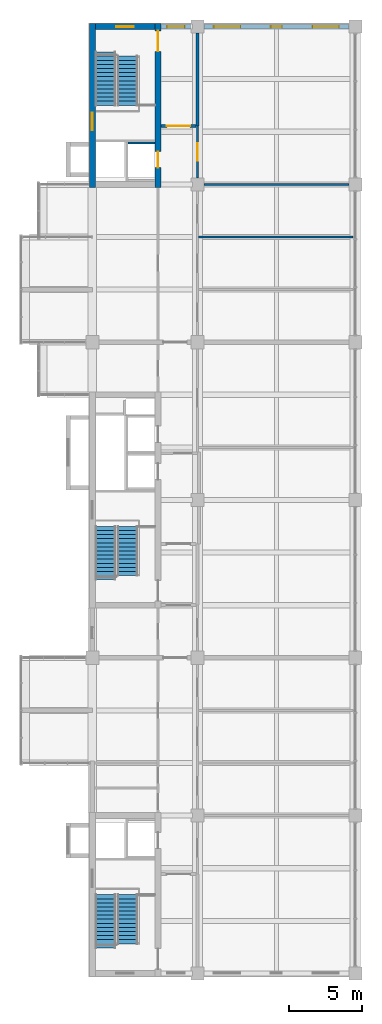
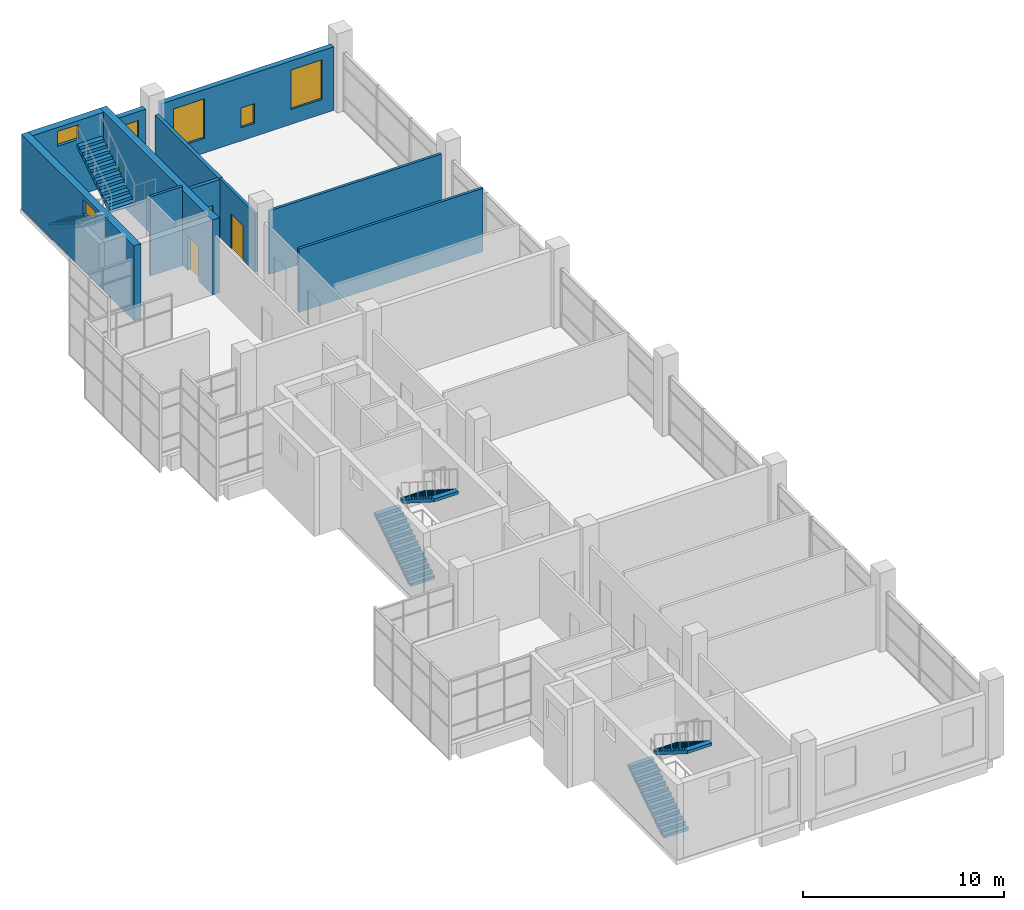
# One storey, part 14 of 15: 11 walls, 6 stair flights, 6 windows, 4 doors, 10 openings, 3 elements without a shape of their own.
"""IFC4 building model written with IfcOpenShell, lengths in metres."""

from ifc_helpers import new_model, si_unit, direction, frame, frame_2d, origin, place, context, subcontext, project, spatial, polyline, rectangle, outline, extrude, material, layer, layer_set, type_object, element, fill, aggregate, save


model = new_model("IFC4")

# Units and contexts
model_context = context("Model", 3, precision=1e-05, world=origin(), true_north=direction((0.0, 1.0)))
body_context = subcontext(model_context, "Body", "Model", "MODEL_VIEW")
ifc_project = project(units=[si_unit("LENGTHUNIT", "METRE"), si_unit("AREAUNIT", "SQUARE_METRE"), si_unit("VOLUMEUNIT", "CUBIC_METRE"), si_unit("PLANEANGLEUNIT", "RADIAN"), si_unit("MASSUNIT", "GRAM", prefix="KILO")], contexts=[model_context])

# Site, building, storey
site_placement = place(None, origin())
site = spatial("IfcSite", under=ifc_project, at=site_placement, CompositionType="ELEMENT")
building_placement = place(site_placement, origin())
building = spatial("IfcBuilding", under=site, at=building_placement, Name="Basin Gate Institute", CompositionType="ELEMENT")
storey_placement = place(building_placement, frame((0.0, 0.0, 55.800048828125)))
storey = spatial("IfcBuildingStorey", under=building, at=storey_placement, Name="L11", CompositionType="ELEMENT", Elevation=55.800048828125)

# Wall, opening, door
ifc_material_1 = material(Name="Fire-rated masonry", Category="masonry")
ifc_layer_1 = layer(ifc_material_1, 0.199951171875)
ifc_layer_set_1 = layer_set([ifc_layer_1], Name="Enclosure wall PW2 200 EI 60")
wall_type_1 = type_object("IfcWallType", Name="Enclosure wall PW2 200 EI 60", PredefinedType="PARTITIONING", material=ifc_layer_set_1)
wall_1_placement = place(storey_placement, frame((65.89990234375, 93.10009765625, 0.0), z_axis=(0.0, 0.0, 1.0), x_axis=(1.0, 0.0, 0.0)))
wall_1 = element("IfcWall", 1, at=wall_1_placement, inside=storey, type_object=wall_type_1, material=ifc_layer_set_1, Name="Smoke lobby enclosure wall PW2 L11", PredefinedType="PARTITIONING", context=body_context, shape_type="SweptSolid", body=[
    extrude(rectangle(XDim=2.400146484375, YDim=0.199951171875, at=frame_2d((1.2001953125, 0.0))), origin(), (0.0, 0.0, 1.0), 3.550048828125),
])
opening_1_placement = place(wall_1_placement, frame((0.39990234375, 0.0, 0.0)))
opening_1 = element("IfcOpeningElement", 2, at=opening_1_placement, cuts=wall_1, Name="Opening DR481", PredefinedType="OPENING", context=body_context, shape_type="SweptSolid", body=[
    extrude(rectangle(XDim=1.60009765625, YDim=2.10009765625, at=frame_2d((0.800048828125, 1.050048828125))), frame((0.0, 0.10986328125, 0.0), z_axis=(0.0, -1.0, 0.0), x_axis=(1.0, 0.0, 0.0)), (0.0, 0.0, 1.0), 0.219970703125),
])
ifc_material_2 = material(Name="Steel fire door", Category="steel")
door_type_1 = type_object("IfcDoorType", Name="FD60 Smoke lobby door pair D8", OperationType="DOUBLE_DOOR_SINGLE_SWING", PredefinedType="DOOR", material=ifc_material_2)
door_1_placement = place(opening_1_placement, origin())
door_1 = element("IfcDoor", 3, at=door_1_placement, inside=storey, type_object=door_type_1, material=ifc_material_2, Name="Smoke lobby door SS3 L11", OperationType="DOUBLE_DOOR_SINGLE_SWING", OverallHeight=2.10009765625, OverallWidth=1.60009765625, PredefinedType="DOOR", context=body_context, shape_type="SweptSolid", body=[
    extrude(rectangle(XDim=1.60009765625, YDim=2.10009765625, at=frame_2d((0.800048828125, 1.050048828125))), frame((0.0, 0.02490234375, 0.0), z_axis=(0.0, -1.0, 0.0), x_axis=(1.0, 0.0, 0.0)), (0.0, 0.0, 1.0), 0.050048828125),
])
fill(opening_1, door_1)

# Wall
wall_2_placement = place(storey_placement, frame((68.39990234375, 93.10009765625, 0.0), z_axis=(0.0, 0.0, 1.0), x_axis=(0.0, 1.0, 0.0)))
element("IfcWall", 4, at=wall_2_placement, inside=storey, type_object=wall_type_1, material=ifc_layer_set_1, Name="Smoke lobby enclosure wall PW2 L11", PredefinedType="PARTITIONING", context=body_context, shape_type="SweptSolid", body=[
    extrude(rectangle(XDim=6.349853515625, YDim=0.199951171875, at=frame_2d((3.1748046875, 0.0))), origin(), (0.0, 0.0, 1.0), 3.550048828125),
])

# Wall, opening, window
ifc_material_3 = material(Name="Aluminium-faced insulated panel wall", Category="aluminium")
ifc_layer_2 = layer(ifc_material_3, 0.300048828125)
ifc_layer_set_2 = layer_set([ifc_layer_2], Name="External wall EW1 EI 120")
wall_type_2 = type_object("IfcWallType", Name="External wall EW1 EI 120", PredefinedType="STANDARD", material=ifc_layer_set_2)
wall_3_placement = place(storey_placement, frame((65.89990234375, 99.89990234375, 0.0), z_axis=(0.0, 0.0, 1.0), x_axis=(1.0, 0.0, 0.0)))
wall_3 = element("IfcWall", 5, at=wall_3_placement, inside=storey, type_object=wall_type_2, material=ifc_layer_set_2, Name="External end wall W wing north L11 1", PredefinedType="STANDARD", context=body_context, shape_type="SweptSolid", body=[
    extrude(rectangle(XDim=2.050048828125, YDim=0.300048828125, at=frame_2d((1.02490234375, 0.0))), origin(), (0.0, 0.0, 1.0), 3.849853515625),
])
opening_2_placement = place(wall_3_placement, frame((0.425048828125, 0.0, 0.89990234375)))
opening_2 = element("IfcOpeningElement", 6, at=opening_2_placement, cuts=wall_3, Name="Opening WN4", PredefinedType="OPENING", context=body_context, shape_type="SweptSolid", body=[
    extrude(rectangle(XDim=1.199951171875, YDim=2.39990234375, at=frame_2d((0.60009765625, 1.199951171875))), frame((0.0, 0.16015625, 0.0), z_axis=(0.0, -1.0, 0.0), x_axis=(1.0, 0.0, 0.0)), (0.0, 0.0, 1.0), 0.320068359375),
])
ifc_material_4 = material(Name="Aluminium-framed double glazing", Category="aluminium")
window_type_1 = type_object("IfcWindowType", Name="Corridor end window WN4", PartitioningType="SINGLE_PANEL", PredefinedType="WINDOW", material=ifc_material_4)
window_1_placement = place(opening_2_placement, origin())
window_1 = element("IfcWindow", 7, at=window_1_placement, inside=storey, type_object=window_type_1, material=ifc_material_4, Name="Corridor end window W wing N L11", OverallHeight=2.39990234375, OverallWidth=1.199951171875, PartitioningType="SINGLE_PANEL", PredefinedType="WINDOW", context=body_context, shape_type="SweptSolid", body=[
    extrude(rectangle(XDim=1.199951171875, YDim=2.39990234375, at=frame_2d((0.60009765625, 1.199951171875))), frame((0.0, 0.030029296875, 0.0), z_axis=(0.0, -1.0, 0.0), x_axis=(1.0, 0.0, 0.0)), (0.0, 0.0, 1.0), 0.06005859375),
])
fill(opening_2, window_1)

# Wall, openings, windows
wall_4_placement = place(storey_placement, frame((68.85009765625, 99.89990234375, 0.0), z_axis=(0.0, 0.0, 1.0), x_axis=(1.0, 0.0, 0.0)))
wall_4 = element("IfcWall", 8, at=wall_4_placement, inside=storey, type_object=wall_type_2, material=ifc_layer_set_2, Name="External end wall W wing north L11 2", PredefinedType="STANDARD", context=body_context, shape_type="SweptSolid", body=[
    extrude(rectangle(XDim=9.89990234375, YDim=0.300048828125, at=frame_2d((4.949951171875, 0.0))), origin(), (0.0, 0.0, 1.0), 3.849853515625),
])
opening_3_placement = place(wall_4_placement, frame((0.675048828125, 0.0, 0.89990234375)))
opening_3 = element("IfcOpeningElement", 9, at=opening_3_placement, cuts=wall_4, Name="Opening WN1", PredefinedType="OPENING", context=body_context, shape_type="SweptSolid", body=[
    extrude(rectangle(XDim=1.800048828125, YDim=2.39990234375, at=frame_2d((0.89990234375, 1.199951171875))), frame((0.0, 0.16015625, 0.0), z_axis=(0.0, -1.0, 0.0), x_axis=(1.0, 0.0, 0.0)), (0.0, 0.0, 1.0), 0.320068359375),
])
opening_4_placement = place(wall_4_placement, frame((4.574951171875, 0.0, 0.800048828125)))
opening_4 = element("IfcOpeningElement", 10, at=opening_4_placement, cuts=wall_4, Name="Opening WN3", PredefinedType="OPENING", context=body_context, shape_type="SweptSolid", body=[
    extrude(rectangle(XDim=0.75, YDim=1.199951171875, at=frame_2d((0.375, 0.60009765625))), frame((0.0, 0.16015625, 0.0), z_axis=(0.0, -1.0, 0.0), x_axis=(1.0, 0.0, 0.0)), (0.0, 0.0, 1.0), 0.320068359375),
])
opening_5_placement = place(wall_4_placement, frame((7.425048828125, 0.0, 0.89990234375)))
opening_5 = element("IfcOpeningElement", 11, at=opening_5_placement, cuts=wall_4, Name="Opening WN1", PredefinedType="OPENING", context=body_context, shape_type="SweptSolid", body=[
    extrude(rectangle(XDim=1.800048828125, YDim=2.39990234375, at=frame_2d((0.89990234375, 1.199951171875))), frame((0.0, 0.16015625, 0.0), z_axis=(0.0, -1.0, 0.0), x_axis=(1.0, 0.0, 0.0)), (0.0, 0.0, 1.0), 0.320068359375),
])
ifc_material_5 = material(Name="Aluminium-framed double glazing", Category="aluminium")
window_type_2 = type_object("IfcWindowType", Name="Emergency entry panel WN3", PartitioningType="SINGLE_PANEL", PredefinedType="WINDOW", material=ifc_material_5)
window_2_placement = place(opening_4_placement, origin())
window_2 = element("IfcWindow", 12, at=window_2_placement, inside=storey, type_object=window_type_2, material=ifc_material_5, Name="Emergency entry panel W wing end N L11 bay 2", OverallHeight=1.199951171875, OverallWidth=0.75, PartitioningType="SINGLE_PANEL", PredefinedType="WINDOW", context=body_context, shape_type="SweptSolid", body=[
    extrude(rectangle(XDim=0.75, YDim=1.199951171875, at=frame_2d((0.375, 0.60009765625))), frame((0.0, 0.030029296875, 0.0), z_axis=(0.0, -1.0, 0.0), x_axis=(1.0, 0.0, 0.0)), (0.0, 0.0, 1.0), 0.06005859375),
])
fill(opening_4, window_2)
ifc_material_6 = material(Name="Aluminium-framed double glazing", Category="aluminium")
window_type_3 = type_object("IfcWindowType", Name="Facade window WN1", PartitioningType="SINGLE_PANEL", PredefinedType="WINDOW", material=ifc_material_6)
window_3_placement = place(opening_3_placement, origin())
window_3 = element("IfcWindow", 13, at=window_3_placement, inside=storey, type_object=window_type_3, material=ifc_material_6, Name="Facade window W wing end N L11 bay 1", OverallHeight=2.39990234375, OverallWidth=1.800048828125, PartitioningType="SINGLE_PANEL", PredefinedType="WINDOW", context=body_context, shape_type="SweptSolid", body=[
    extrude(rectangle(XDim=1.800048828125, YDim=2.39990234375, at=frame_2d((0.89990234375, 1.199951171875))), frame((0.0, 0.030029296875, 0.0), z_axis=(0.0, -1.0, 0.0), x_axis=(1.0, 0.0, 0.0)), (0.0, 0.0, 1.0), 0.06005859375),
])
fill(opening_3, window_3)
window_4_placement = place(opening_5_placement, origin())
window_4 = element("IfcWindow", 14, at=window_4_placement, inside=storey, type_object=window_type_3, material=ifc_material_6, Name="Facade window W wing end N L11 bay 3", OverallHeight=2.39990234375, OverallWidth=1.800048828125, PartitioningType="SINGLE_PANEL", PredefinedType="WINDOW", context=body_context, shape_type="SweptSolid", body=[
    extrude(rectangle(XDim=1.800048828125, YDim=2.39990234375, at=frame_2d((0.89990234375, 1.199951171875))), frame((0.0, 0.030029296875, 0.0), z_axis=(0.0, -1.0, 0.0), x_axis=(1.0, 0.0, 0.0)), (0.0, 0.0, 1.0), 0.06005859375),
])
fill(opening_5, window_4)

# Wall, opening, door
ifc_material_7 = material(Name="Gypsum board on steel stud", Category="steel")
ifc_layer_3 = layer(ifc_material_7, 0.14990234375)
ifc_layer_set_3 = layer_set([ifc_layer_3], Name="Gypsum board on steel stud")
wall_type_3 = type_object("IfcWallType", Name="Partition PW1 150 EI 60", PredefinedType="PARTITIONING", material=ifc_layer_set_3)
wall_5_placement = place(storey_placement, frame((68.39990234375, 89.550048828125, 0.0), z_axis=(0.0, 0.0, 1.0), x_axis=(0.0, 1.0, 0.0)))
wall_5 = element("IfcWall", 15, at=wall_5_placement, inside=storey, type_object=wall_type_3, material=ifc_layer_set_3, Name="Laboratory corridor wall PW1 L11", PredefinedType="PARTITIONING", context=body_context, shape_type="SweptSolid", body=[
    extrude(rectangle(XDim=3.550048828125, YDim=0.14990234375, at=frame_2d((1.77490234375, 0.0))), origin(), (0.0, 0.0, 1.0), 3.550048828125),
])
opening_6_placement = place(wall_5_placement, frame((1.175048828125, 0.0, 0.0)))
opening_6 = element("IfcOpeningElement", 16, at=opening_6_placement, cuts=wall_5, Name="Opening DR476", PredefinedType="OPENING", context=body_context, shape_type="SweptSolid", body=[
    extrude(rectangle(XDim=1.199951171875, YDim=2.10009765625, at=frame_2d((0.60009765625, 1.050048828125))), frame((0.0, 0.0849609375, 0.0), z_axis=(0.0, -1.0, 0.0), x_axis=(1.0, 0.0, 0.0)), (0.0, 0.0, 1.0), 0.169921875),
])
ifc_material_8 = material(Name="Timber fire door", Category="wood")
door_type_2 = type_object("IfcDoorType", Name="FD30 Laboratory door D2", OperationType="DOUBLE_DOOR_SINGLE_SWING", PredefinedType="DOOR", material=ifc_material_8)
door_2_placement = place(opening_6_placement, frame((1.199951171875, 0.0, 0.0), z_axis=(0.0, 0.0, 1.0), x_axis=(-1.0, 0.0, 0.0)))
door_2 = element("IfcDoor", 17, at=door_2_placement, inside=storey, type_object=door_type_2, material=ifc_material_8, Name="Door to Write-up Office 1124 L11", OperationType="DOUBLE_DOOR_SINGLE_SWING", OverallHeight=2.10009765625, OverallWidth=1.199951171875, PredefinedType="DOOR", context=body_context, shape_type="SweptSolid", body=[
    extrude(rectangle(XDim=1.199951171875, YDim=2.10009765625, at=frame_2d((0.60009765625, 1.050048828125))), frame((0.0, 0.02490234375, 0.0), z_axis=(0.0, -1.0, 0.0), x_axis=(1.0, 0.0, 0.0)), (0.0, 0.0, 1.0), 0.050048828125),
])
fill(opening_6, door_2)

# Walls
wall_6_placement = place(storey_placement, frame((68.47509765625, 85.5, 0.0), z_axis=(0.0, 0.0, 1.0), x_axis=(1.0, 0.0, 0.0)))
element("IfcWall", 18, at=wall_6_placement, inside=storey, type_object=wall_type_3, material=ifc_layer_set_3, Name="Laboratory partition PW1 L11", PredefinedType="PARTITIONING", context=body_context, shape_type="SweptSolid", body=[
    extrude(rectangle(XDim=10.574951171875, YDim=0.14990234375, at=frame_2d((5.28759765625, 0.0))), origin(), (0.0, 0.0, 1.0), 3.849853515625),
])
wall_7_placement = place(storey_placement, frame((68.85009765625, 89.10009765625, 0.0), z_axis=(0.0, 0.0, 1.0), x_axis=(1.0, 0.0, 0.0)))
element("IfcWall", 19, at=wall_7_placement, inside=storey, type_object=wall_type_3, material=ifc_layer_set_3, Name="Laboratory partition PW1 L11", PredefinedType="PARTITIONING", context=body_context, shape_type="SweptSolid", body=[
    extrude(rectangle(XDim=9.89990234375, YDim=0.14990234375, at=frame_2d((4.949951171875, 0.0))), origin(), (0.0, 0.0, 1.0), 3.849853515625),
])
ifc_material_9 = material(Name="Concrete 40 MPa", Category="concrete")
ifc_layer_4 = layer(ifc_material_9, 0.14990234375)
ifc_layer_set_4 = layer_set([ifc_layer_4], Name="Concrete 40 MPa")
wall_type_4 = type_object("IfcWallType", Name="Wall LS1 lift shaft enclosure R120", PredefinedType="SOLIDWALL", material=ifc_layer_set_4)
wall_8_placement = place(storey_placement, frame((63.64990234375, 91.925048828125, 0.0), z_axis=(0.0, 0.0, 1.0), x_axis=(1.0, 0.0, 0.0)))
element("IfcWall", 20, at=wall_8_placement, inside=storey, type_object=wall_type_4, material=ifc_layer_set_4, Name="Lift shaft enclosure LP3 L11 RL", PredefinedType="SOLIDWALL", context=body_context, shape_type="SweptSolid", body=[
    extrude(rectangle(XDim=1.85009765625, YDim=0.14990234375, at=frame_2d((0.925048828125, 0.0))), origin(), (0.0, 0.0, 1.0), 4.800048828125),
])

# Wall, opening, window
ifc_material_10 = material(Name="Concrete 50 MPa", Category="concrete")
ifc_layer_5 = layer(ifc_material_10, 0.39990234375)
ifc_layer_set_5 = layer_set([ifc_layer_5], Name="Concrete 50 MPa")
wall_type_5 = type_object("IfcWallType", Name="Wall SW2 R120", PredefinedType="SHEAR", material=ifc_layer_set_5)
wall_9_placement = place(storey_placement, frame((61.199951171875, 88.89990234375, 0.0), z_axis=(0.0, 0.0, 1.0), x_axis=(0.0, 1.0, 0.0)))
wall_9 = element("IfcWall", 21, at=wall_9_placement, inside=storey, type_object=wall_type_5, material=ifc_layer_set_5, Name="WALL/L11/WN/L", PredefinedType="SHEAR", context=body_context, shape_type="SweptSolid", body=[
    extrude(rectangle(XDim=11.2001953125, YDim=0.39990234375, at=frame_2d((5.60009765625, 0.0))), origin(), (0.0, 0.0, 1.0), 4.550048828125),
])
opening_7_placement = place(wall_9_placement, frame((3.889892578125, 0.0, 3.39990234375)))
opening_7 = element("IfcOpeningElement", 22, at=opening_7_placement, cuts=wall_9, Name="Opening WT2", PredefinedType="OPENING", context=body_context, shape_type="SweptSolid", body=[
    extrude(rectangle(XDim=1.199951171875, YDim=0.89990234375, at=frame_2d((0.60009765625, 0.449951171875))), frame((0.0, 0.2099609375, 0.0), z_axis=(0.0, -1.0, 0.0), x_axis=(1.0, 0.0, 0.0)), (0.0, 0.0, 1.0), 0.419921875),
])
ifc_material_11 = material(Name="Fire-resistant glazing in steel-free frame", Category="steel")
window_type_4 = type_object("IfcWindowType", Name="Rated stair window EI 120 WT2", PartitioningType="SINGLE_PANEL", PredefinedType="WINDOW", material=ifc_material_11)
window_5_placement = place(opening_7_placement, origin())
window_5 = element("IfcWindow", 23, at=window_5_placement, inside=storey, type_object=window_type_4, material=ifc_material_11, Name="Rated stair window EI 120 WN landing L11", OverallHeight=0.89990234375, OverallWidth=1.199951171875, PartitioningType="SINGLE_PANEL", PredefinedType="WINDOW", context=body_context, shape_type="SweptSolid", body=[
    extrude(rectangle(XDim=1.199951171875, YDim=0.89990234375, at=frame_2d((0.60009765625, 0.449951171875))), frame((0.0, 0.030029296875, 0.0), z_axis=(0.0, -1.0, 0.0), x_axis=(1.0, 0.0, 0.0)), (0.0, 0.0, 1.0), 0.06005859375),
])
fill(opening_7, window_5)

# Wall, openings, doors
wall_10_placement = place(storey_placement, frame((65.699951171875, 88.89990234375, 0.0), z_axis=(0.0, 0.0, 1.0), x_axis=(0.0, 1.0, 0.0)))
wall_10 = element("IfcWall", 24, at=wall_10_placement, inside=storey, type_object=wall_type_5, material=ifc_layer_set_5, Name="WALL/L11/WN/C", PredefinedType="SHEAR", context=body_context, shape_type="SweptSolid", body=[
    extrude(rectangle(XDim=11.2001953125, YDim=0.39990234375, at=frame_2d((5.60009765625, 0.0))), origin(), (0.0, 0.0, 1.0), 4.550048828125),
])
opening_8_placement = place(wall_10_placement, frame((9.300048828125, 0.0, 0.0)))
opening_8 = element("IfcOpeningElement", 25, at=opening_8_placement, cuts=wall_10, Name="Opening DS063", PredefinedType="OPENING", context=body_context, shape_type="SweptSolid", body=[
    extrude(rectangle(XDim=1.39990234375, YDim=2.10009765625, at=frame_2d((0.699951171875, 1.050048828125))), frame((0.0, 0.2099609375, 0.0), z_axis=(0.0, -1.0, 0.0), x_axis=(1.0, 0.0, 0.0)), (0.0, 0.0, 1.0), 0.419921875),
])
opening_9_placement = place(wall_10_placement, frame((1.35009765625, 0.0, 0.0)))
opening_9 = element("IfcOpeningElement", 26, at=opening_9_placement, cuts=wall_10, Name="Opening LD066", PredefinedType="OPENING", context=body_context, shape_type="SweptSolid", body=[
    extrude(rectangle(XDim=1.10009765625, YDim=2.10009765625, at=frame_2d((0.550048828125, 1.050048828125))), frame((0.0, 0.2099609375, 0.0), z_axis=(0.0, -1.0, 0.0), x_axis=(1.0, 0.0, 0.0)), (0.0, 0.0, 1.0), 0.419921875),
])
ifc_material_12 = material(Name="Steel fire door", Category="steel")
door_type_3 = type_object("IfcDoorType", Name="FD30 Stair enclosure door DS", OperationType="DOUBLE_DOOR_SINGLE_SWING", PredefinedType="DOOR", material=ifc_material_12)
door_3_placement = place(opening_8_placement, origin())
door_3 = element("IfcDoor", 27, at=door_3_placement, inside=storey, type_object=door_type_3, material=ifc_material_12, Name="Stair enclosure door ST-WN L11", OperationType="DOUBLE_DOOR_SINGLE_SWING", OverallHeight=2.10009765625, OverallWidth=1.39990234375, PredefinedType="DOOR", context=body_context, shape_type="SweptSolid", body=[
    extrude(rectangle(XDim=1.39990234375, YDim=2.10009765625, at=frame_2d((0.699951171875, 1.050048828125))), frame((0.0, 0.02490234375, 0.0), z_axis=(0.0, -1.0, 0.0), x_axis=(1.0, 0.0, 0.0)), (0.0, 0.0, 1.0), 0.050048828125),
])
fill(opening_8, door_3)
ifc_material_13 = material(Name="Stainless steel", Category="steel")
door_type_4 = type_object("IfcDoorType", Name="FD60 Lift landing door LD", OperationType="SLIDING_TO_LEFT", PredefinedType="DOOR", material=ifc_material_13)
door_4_placement = place(opening_9_placement, origin())
door_4 = element("IfcDoor", 28, at=door_4_placement, inside=storey, type_object=door_type_4, material=ifc_material_13, Name="Lift landing door LP3 L11", OperationType="SLIDING_TO_LEFT", OverallHeight=2.10009765625, OverallWidth=1.10009765625, PredefinedType="DOOR", context=body_context, shape_type="SweptSolid", body=[
    extrude(rectangle(XDim=1.10009765625, YDim=2.10009765625, at=frame_2d((0.550048828125, 1.050048828125))), frame((0.0, 0.02490234375, 0.0), z_axis=(0.0, -1.0, 0.0), x_axis=(1.0, 0.0, 0.0)), (0.0, 0.0, 1.0), 0.050048828125),
])
fill(opening_9, door_4)

# Wall, opening, window
wall_11_placement = place(storey_placement, frame((61.39990234375, 99.89990234375, 0.0), z_axis=(0.0, 0.0, 1.0), x_axis=(1.0, 0.0, 0.0)))
wall_11 = element("IfcWall", 29, at=wall_11_placement, inside=storey, type_object=wall_type_5, material=ifc_layer_set_5, Name="WALL/L11/WN/N", PredefinedType="SHEAR", context=body_context, shape_type="SweptSolid", body=[
    extrude(rectangle(XDim=4.10009765625, YDim=0.39990234375, at=frame_2d((2.050048828125, 0.0))), origin(), (0.0, 0.0, 1.0), 4.550048828125),
])
opening_10_placement = place(wall_11_placement, frame((1.449951171875, 0.0, 3.39990234375)))
opening_10 = element("IfcOpeningElement", 30, at=opening_10_placement, cuts=wall_11, Name="Opening WT2", PredefinedType="OPENING", context=body_context, shape_type="SweptSolid", body=[
    extrude(rectangle(XDim=1.199951171875, YDim=0.89990234375, at=frame_2d((0.60009765625, 0.449951171875))), frame((0.0, 0.2099609375, 0.0), z_axis=(0.0, -1.0, 0.0), x_axis=(1.0, 0.0, 0.0)), (0.0, 0.0, 1.0), 0.419921875),
])
window_6_placement = place(opening_10_placement, origin())
window_6 = element("IfcWindow", 31, at=window_6_placement, inside=storey, type_object=window_type_4, material=ifc_material_11, Name="Rated stair window EI 120 WN end L11", OverallHeight=0.89990234375, OverallWidth=1.199951171875, PartitioningType="SINGLE_PANEL", PredefinedType="WINDOW", context=body_context, shape_type="SweptSolid", body=[
    extrude(rectangle(XDim=1.199951171875, YDim=0.89990234375, at=frame_2d((0.60009765625, 0.449951171875))), frame((0.0, 0.030029296875, 0.0), z_axis=(0.0, -1.0, 0.0), x_axis=(1.0, 0.0, 0.0)), (0.0, 0.0, 1.0), 0.06005859375),
])
fill(opening_10, window_6)

# Stair, stair flights
ifc_material_14 = material(Name="Concrete 40 MPa", Category="concrete")
stair_type = type_object("IfcStairType", Name="Stair ST", PredefinedType="HALF_TURN_STAIR", material=ifc_material_14)
stair_1_placement = place(storey_placement, origin())
stair_1 = element("IfcStair", 32, at=stair_1_placement, inside=storey, type_object=stair_type, material=ifc_material_14, Name="Special safe stair ST-WS L11", PredefinedType="HALF_TURN_STAIR")
ifc_material_15 = material(Name="Concrete 40 MPa", Category="concrete")
stair_flight_type = type_object("IfcStairFlightType", Name="Stair flight FL", PredefinedType="STRAIGHT", material=ifc_material_15)
stair_flight_1_placement = place(storey_placement, frame((62.10009765625, 36.85009765625, 0.0), z_axis=(0.0, 0.0, 1.0), x_axis=(0.0, 1.0, 0.0)))
stair_flight_1 = element("IfcStairFlight", 33, at=stair_flight_1_placement, type_object=stair_flight_type, material=ifc_material_15, Name="Stair flight ST-WS-F1 L11", NumberOfRisers=14, NumberOfTreads=13, PredefinedType="STRAIGHT", RiserHeight=0.177777778, TreadLength=0.28, context=body_context, shape_type="SweptSolid", body=[
    extrude(outline(polyline([(0.0, 0.0), (0.0, 0.177734375), (0.280029296875, 0.177734375), (0.280029296875, 0.35546875), (0.56005859375, 0.35546875), (0.56005859375, 0.533447265625), (0.840087890625, 0.533447265625), (0.840087890625, 0.711181640625), (1.1201171875, 0.711181640625), (1.1201171875, 0.888916015625), (1.39990234375, 0.888916015625), (1.39990234375, 1.066650390625), (1.679931640625, 1.066650390625), (1.679931640625, 1.244384765625), (1.9599609375, 1.244384765625), (1.9599609375, 1.422119140625), (2.239990234375, 1.422119140625), (2.239990234375, 1.60009765625), (2.52001953125, 1.60009765625), (2.52001953125, 1.77783203125), (2.800048828125, 1.77783203125), (2.800048828125, 1.95556640625), (3.080078125, 1.95556640625), (3.080078125, 2.13330078125), (3.360107421875, 2.13330078125), (3.360107421875, 2.31103515625), (3.639892578125, 2.31103515625), (3.639892578125, 2.48876953125), (3.639892578125, 2.133544921875), (0.27978515625, 0.0), (0.0, 0.0)])), frame((0.0, 0.699951171875, 0.0), z_axis=(0.0, -1.0, 0.0), x_axis=(1.0, 0.0, 0.0)), (0.0, 0.0, 1.0), 1.39990234375),
])
stair_flight_2_placement = place(storey_placement, frame((63.60009765625, 40.489990234375, 2.48876953125), z_axis=(0.0, 0.0, 1.0), x_axis=(0.0, -1.0, 0.0)))
stair_flight_2 = element("IfcStairFlight", 34, at=stair_flight_2_placement, type_object=stair_flight_type, material=ifc_material_15, Name="Stair flight ST-WS-F2 L11", NumberOfRisers=13, NumberOfTreads=12, PredefinedType="STRAIGHT", RiserHeight=0.177777778, TreadLength=0.28, context=body_context, shape_type="SweptSolid", body=[
    extrude(outline(polyline([(0.0, 0.0), (0.0, 0.177734375), (0.280029296875, 0.177734375), (0.280029296875, 0.35546875), (0.56005859375, 0.35546875), (0.56005859375, 0.533447265625), (0.840087890625, 0.533447265625), (0.840087890625, 0.711181640625), (1.1201171875, 0.711181640625), (1.1201171875, 0.888916015625), (1.39990234375, 0.888916015625), (1.39990234375, 1.066650390625), (1.679931640625, 1.066650390625), (1.679931640625, 1.244384765625), (1.9599609375, 1.244384765625), (1.9599609375, 1.422119140625), (2.239990234375, 1.422119140625), (2.239990234375, 1.60009765625), (2.52001953125, 1.60009765625), (2.52001953125, 1.77783203125), (2.800048828125, 1.77783203125), (2.800048828125, 1.95556640625), (3.080078125, 1.95556640625), (3.080078125, 2.13330078125), (3.360107421875, 2.13330078125), (3.360107421875, 2.31103515625), (3.360107421875, 1.955810546875), (0.27978515625, 0.0), (0.0, 0.0)])), frame((0.0, 0.699951171875, 0.0), z_axis=(0.0, -1.0, 0.0), x_axis=(1.0, 0.0, 0.0)), (0.0, 0.0, 1.0), 1.39990234375),
])
aggregate(stair_1, [stair_flight_1, stair_flight_2])

stair_2_placement = place(storey_placement, origin())
stair_2 = element("IfcStair", 35, at=stair_2_placement, inside=storey, type_object=stair_type, material=ifc_material_14, Name="Special safe stair ST-WM L11", PredefinedType="HALF_TURN_STAIR")
stair_flight_3_placement = place(storey_placement, frame((62.10009765625, 62.050048828125, 0.0), z_axis=(0.0, 0.0, 1.0), x_axis=(0.0, 1.0, 0.0)))
stair_flight_3 = element("IfcStairFlight", 36, at=stair_flight_3_placement, type_object=stair_flight_type, material=ifc_material_15, Name="Stair flight ST-WM-F1 L11", NumberOfRisers=14, NumberOfTreads=13, PredefinedType="STRAIGHT", RiserHeight=0.177777778, TreadLength=0.28, context=body_context, shape_type="SweptSolid", body=[
    extrude(outline(polyline([(0.0, 0.0), (0.0, 0.177734375), (0.280029296875, 0.177734375), (0.280029296875, 0.35546875), (0.56005859375, 0.35546875), (0.56005859375, 0.533447265625), (0.840087890625, 0.533447265625), (0.840087890625, 0.711181640625), (1.1201171875, 0.711181640625), (1.1201171875, 0.888916015625), (1.39990234375, 0.888916015625), (1.39990234375, 1.066650390625), (1.679931640625, 1.066650390625), (1.679931640625, 1.244384765625), (1.9599609375, 1.244384765625), (1.9599609375, 1.422119140625), (2.239990234375, 1.422119140625), (2.239990234375, 1.60009765625), (2.52001953125, 1.60009765625), (2.52001953125, 1.77783203125), (2.800048828125, 1.77783203125), (2.800048828125, 1.95556640625), (3.080078125, 1.95556640625), (3.080078125, 2.13330078125), (3.360107421875, 2.13330078125), (3.360107421875, 2.31103515625), (3.639892578125, 2.31103515625), (3.639892578125, 2.48876953125), (3.639892578125, 2.133544921875), (0.27978515625, 0.0), (0.0, 0.0)])), frame((0.0, 0.699951171875, 0.0), z_axis=(0.0, -1.0, 0.0), x_axis=(1.0, 0.0, 0.0)), (0.0, 0.0, 1.0), 1.39990234375),
])
stair_flight_4_placement = place(storey_placement, frame((63.60009765625, 65.68994140625, 2.48876953125), z_axis=(0.0, 0.0, 1.0), x_axis=(0.0, -1.0, 0.0)))
stair_flight_4 = element("IfcStairFlight", 37, at=stair_flight_4_placement, type_object=stair_flight_type, material=ifc_material_15, Name="Stair flight ST-WM-F2 L11", NumberOfRisers=13, NumberOfTreads=12, PredefinedType="STRAIGHT", RiserHeight=0.177777778, TreadLength=0.28, context=body_context, shape_type="SweptSolid", body=[
    extrude(outline(polyline([(0.0, 0.0), (0.0, 0.177734375), (0.280029296875, 0.177734375), (0.280029296875, 0.35546875), (0.56005859375, 0.35546875), (0.56005859375, 0.533447265625), (0.840087890625, 0.533447265625), (0.840087890625, 0.711181640625), (1.1201171875, 0.711181640625), (1.1201171875, 0.888916015625), (1.39990234375, 0.888916015625), (1.39990234375, 1.066650390625), (1.679931640625, 1.066650390625), (1.679931640625, 1.244384765625), (1.9599609375, 1.244384765625), (1.9599609375, 1.422119140625), (2.239990234375, 1.422119140625), (2.239990234375, 1.60009765625), (2.52001953125, 1.60009765625), (2.52001953125, 1.77783203125), (2.800048828125, 1.77783203125), (2.800048828125, 1.95556640625), (3.080078125, 1.95556640625), (3.080078125, 2.13330078125), (3.360107421875, 2.13330078125), (3.360107421875, 2.31103515625), (3.360107421875, 1.955810546875), (0.27978515625, 0.0), (0.0, 0.0)])), frame((0.0, 0.699951171875, 0.0), z_axis=(0.0, -1.0, 0.0), x_axis=(1.0, 0.0, 0.0)), (0.0, 0.0, 1.0), 1.39990234375),
])
aggregate(stair_2, [stair_flight_3, stair_flight_4])

stair_3_placement = place(storey_placement, origin())
stair_3 = element("IfcStair", 38, at=stair_3_placement, inside=storey, type_object=stair_type, material=ifc_material_14, Name="Special safe stair ST-WN L11", PredefinedType="HALF_TURN_STAIR")
stair_flight_5_placement = place(storey_placement, frame((62.10009765625, 98.14990234375, 0.0), z_axis=(0.0, 0.0, 1.0), x_axis=(0.0, -1.0, 0.0)))
stair_flight_5 = element("IfcStairFlight", 39, at=stair_flight_5_placement, type_object=stair_flight_type, material=ifc_material_15, Name="Stair flight ST-WN-F1 L11", NumberOfRisers=14, NumberOfTreads=13, PredefinedType="STRAIGHT", RiserHeight=0.177777778, TreadLength=0.28, context=body_context, shape_type="SweptSolid", body=[
    extrude(outline(polyline([(0.0, 0.0), (0.0, 0.177734375), (0.280029296875, 0.177734375), (0.280029296875, 0.35546875), (0.56005859375, 0.35546875), (0.56005859375, 0.533447265625), (0.840087890625, 0.533447265625), (0.840087890625, 0.711181640625), (1.1201171875, 0.711181640625), (1.1201171875, 0.888916015625), (1.39990234375, 0.888916015625), (1.39990234375, 1.066650390625), (1.679931640625, 1.066650390625), (1.679931640625, 1.244384765625), (1.9599609375, 1.244384765625), (1.9599609375, 1.422119140625), (2.239990234375, 1.422119140625), (2.239990234375, 1.60009765625), (2.52001953125, 1.60009765625), (2.52001953125, 1.77783203125), (2.800048828125, 1.77783203125), (2.800048828125, 1.95556640625), (3.080078125, 1.95556640625), (3.080078125, 2.13330078125), (3.360107421875, 2.13330078125), (3.360107421875, 2.31103515625), (3.639892578125, 2.31103515625), (3.639892578125, 2.48876953125), (3.639892578125, 2.133544921875), (0.27978515625, 0.0), (0.0, 0.0)])), frame((0.0, 0.699951171875, 0.0), z_axis=(0.0, -1.0, 0.0), x_axis=(1.0, 0.0, 0.0)), (0.0, 0.0, 1.0), 1.39990234375),
])
stair_flight_6_placement = place(storey_placement, frame((63.60009765625, 94.510009765625, 2.48876953125), z_axis=(0.0, 0.0, 1.0), x_axis=(0.0, 1.0, 0.0)))
stair_flight_6 = element("IfcStairFlight", 40, at=stair_flight_6_placement, type_object=stair_flight_type, material=ifc_material_15, Name="Stair flight ST-WN-F2 L11", NumberOfRisers=13, NumberOfTreads=12, PredefinedType="STRAIGHT", RiserHeight=0.177777778, TreadLength=0.28, context=body_context, shape_type="SweptSolid", body=[
    extrude(outline(polyline([(0.0, 0.0), (0.0, 0.177734375), (0.280029296875, 0.177734375), (0.280029296875, 0.35546875), (0.56005859375, 0.35546875), (0.56005859375, 0.533447265625), (0.840087890625, 0.533447265625), (0.840087890625, 0.711181640625), (1.1201171875, 0.711181640625), (1.1201171875, 0.888916015625), (1.39990234375, 0.888916015625), (1.39990234375, 1.066650390625), (1.679931640625, 1.066650390625), (1.679931640625, 1.244384765625), (1.9599609375, 1.244384765625), (1.9599609375, 1.422119140625), (2.239990234375, 1.422119140625), (2.239990234375, 1.60009765625), (2.52001953125, 1.60009765625), (2.52001953125, 1.77783203125), (2.800048828125, 1.77783203125), (2.800048828125, 1.95556640625), (3.080078125, 1.95556640625), (3.080078125, 2.13330078125), (3.360107421875, 2.13330078125), (3.360107421875, 2.31103515625), (3.360107421875, 1.955810546875), (0.27978515625, 0.0), (0.0, 0.0)])), frame((0.0, 0.699951171875, 0.0), z_axis=(0.0, -1.0, 0.0), x_axis=(1.0, 0.0, 0.0)), (0.0, 0.0, 1.0), 1.39990234375),
])
aggregate(stair_3, [stair_flight_5, stair_flight_6])

save(model, "model.ifc")
